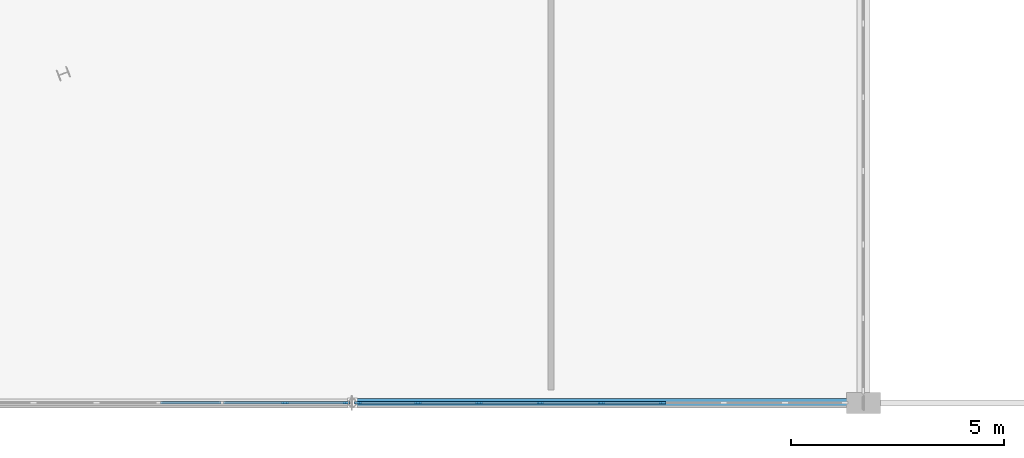
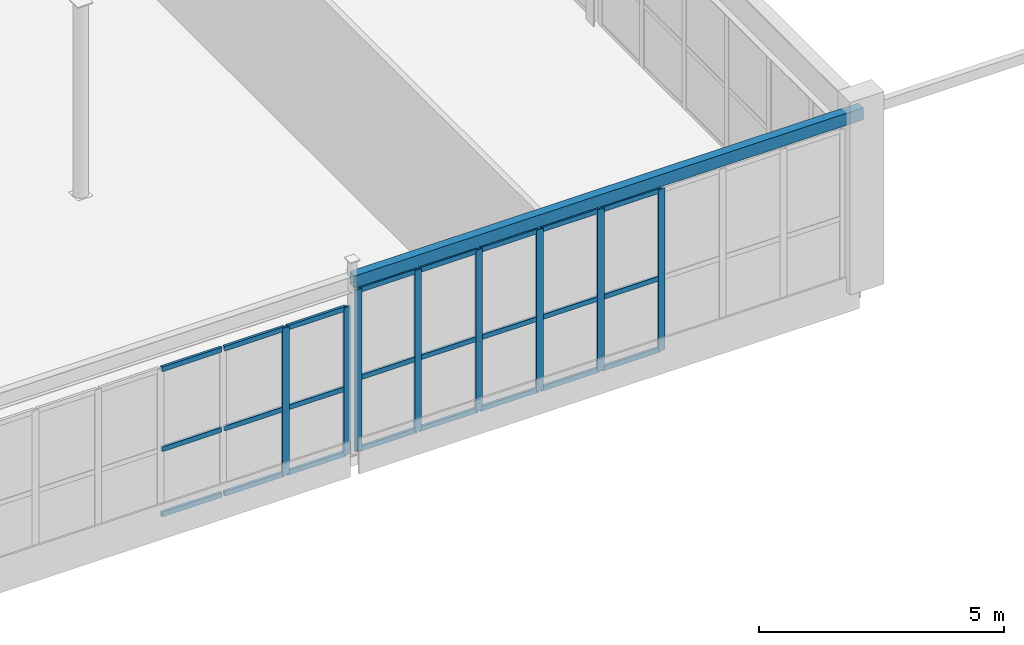
# One storey, part 81 of 226: 32 members, 1 beam, 2 elements without a shape of their own.
"""IFC4 building model written with IfcOpenShell, lengths in metres."""

from ifc_helpers import new_model, si_unit, direction, frame, origin, origin_2d, place, context, subcontext, project, spatial, rectangle, hollow_rectangle, extrude, material, layer, layer_set, material_profile, profile_set, type_object, element, aggregate, save


model = new_model("IFC4")

# Units and contexts
model_context = context("Model", 3, precision=1e-05, world=origin(), true_north=direction((0.0, 1.0)))
body_context = subcontext(model_context, "Body", "Model", "MODEL_VIEW")
ifc_project = project(units=[si_unit("LENGTHUNIT", "METRE"), si_unit("AREAUNIT", "SQUARE_METRE"), si_unit("VOLUMEUNIT", "CUBIC_METRE"), si_unit("PLANEANGLEUNIT", "RADIAN"), si_unit("MASSUNIT", "GRAM", prefix="KILO")], contexts=[model_context])

# Site, building, storey
site_placement = place(None, origin())
site = spatial("IfcSite", under=ifc_project, at=site_placement, CompositionType="ELEMENT")
building_placement = place(site_placement, origin())
building = spatial("IfcBuilding", under=site, at=building_placement, Name="Tarnwether General Hospital", CompositionType="ELEMENT")
storey_placement = place(building_placement, frame((0.0, 0.0, 4.800048828125)))
storey = spatial("IfcBuildingStorey", under=building, at=storey_placement, Name="L01", CompositionType="ELEMENT", Elevation=4.800048828125)

# Beam
ifc_material_1 = material(Name="Steel Grade C350L0 (350 MPa)", Category="steel")
ifc_material_profile_1 = material_profile(ifc_material_1, hollow_rectangle(XDim=0.199951171875, YDim=0.300048828125, WallThickness=0.012451171875, at=origin_2d()), Name="RHS300x200x12.5")
ifc_profile_set_1 = profile_set([ifc_material_profile_1], Name="Steel Grade C350L0 (350 MPa)")
beam_type = type_object("IfcBeamType", Name="BM-SP3", PredefinedType="SPANDREL", material=ifc_profile_set_1)
beam_placement = place(storey_placement, frame((120.0, 0.0, 4.294921875), z_axis=(1.0, 0.0, 0.0), x_axis=(0.0, 1.0, 0.0)))
element("IfcBeam", 1, at=beam_placement, inside=storey, type_object=beam_type, Name="Primary Girder BMG-L01-12000_0-13200_0-1184", PredefinedType="SPANDREL", context=body_context, shape_type="SweptSolid", body=[
    extrude(hollow_rectangle(XDim=0.199951171875, YDim=0.300048828125, WallThickness=0.012451171875, at=origin_2d()), origin(), (0.0, 0.0, 1.0), 12.0),
])

# Curtain wall, members
ifc_material_2 = material(Name="Anodised aluminium", Category="aluminium")
ifc_layer = layer(ifc_material_2, 0.159912109375)
ifc_layer_set = layer_set([ifc_layer], Name="Anodised aluminium")
curtain_wall_type = type_object("IfcCurtainWallType", Name="CW-13", PredefinedType="NOTDEFINED", material=ifc_layer_set)
curtain_wall_1_placement = place(storey_placement, origin())
curtain_wall_1 = element("IfcCurtainWall", 2, at=curtain_wall_1_placement, inside=storey, type_object=curtain_wall_type, Name="Curtain Wall CWG-L01-1316_0-0329", PredefinedType="NOTDEFINED")
ifc_material_3 = material(Name="Anodised aluminium", Category="aluminium")
ifc_material_profile_2 = material_profile(ifc_material_3, rectangle(XDim=0.06005859375, YDim=0.159912109375, at=origin_2d()), Name="ALU-MUL-60x160")
ifc_profile_set_2 = profile_set([ifc_material_profile_2], Name="Anodised aluminium")
member_type_1 = type_object("IfcMemberType", Name="CW-ML1", PredefinedType="MULLION", material=ifc_profile_set_2)
member_1_placement = place(storey_placement, frame((127.284423828125, 0.0, 0.0), z_axis=(0.0, 0.0, 1.0), x_axis=(0.0, -1.0, 0.0)))
member_1 = element("IfcMember", 3, at=member_1_placement, type_object=member_type_1, Name="CW-13 mullion 4", PredefinedType="MULLION", context=body_context, shape_type="SweptSolid", body=[
    extrude(rectangle(XDim=0.06005859375, YDim=0.159912109375, at=origin_2d()), origin(), (0.0, 0.0, 1.0), 4.02685546875),
])
member_2_placement = place(storey_placement, frame((125.848388671875, 0.0, 0.0), z_axis=(0.0, 0.0, 1.0), x_axis=(0.0, -1.0, 0.0)))
member_2 = element("IfcMember", 4, at=member_2_placement, type_object=member_type_1, Name="CW-13 mullion 5", PredefinedType="MULLION", context=body_context, shape_type="SweptSolid", body=[
    extrude(rectangle(XDim=0.06005859375, YDim=0.159912109375, at=origin_2d()), origin(), (0.0, 0.0, 1.0), 4.02685546875),
])
member_3_placement = place(storey_placement, frame((124.41259765625, 0.0, 0.0), z_axis=(0.0, 0.0, 1.0), x_axis=(0.0, -1.0, 0.0)))
member_3 = element("IfcMember", 5, at=member_3_placement, type_object=member_type_1, Name="CW-13 mullion 6", PredefinedType="MULLION", context=body_context, shape_type="SweptSolid", body=[
    extrude(rectangle(XDim=0.06005859375, YDim=0.159912109375, at=origin_2d()), origin(), (0.0, 0.0, 1.0), 4.02685546875),
])
member_4_placement = place(storey_placement, frame((122.976806640625, 0.0, 0.0), z_axis=(0.0, 0.0, 1.0), x_axis=(0.0, -1.0, 0.0)))
member_4 = element("IfcMember", 6, at=member_4_placement, type_object=member_type_1, Name="CW-13 mullion 7", PredefinedType="MULLION", context=body_context, shape_type="SweptSolid", body=[
    extrude(rectangle(XDim=0.06005859375, YDim=0.159912109375, at=origin_2d()), origin(), (0.0, 0.0, 1.0), 4.02685546875),
])
member_5_placement = place(storey_placement, frame((121.540771484375, 0.0, 0.0), z_axis=(0.0, 0.0, 1.0), x_axis=(0.0, -1.0, 0.0)))
member_5 = element("IfcMember", 7, at=member_5_placement, type_object=member_type_1, Name="CW-13 mullion 8", PredefinedType="MULLION", context=body_context, shape_type="SweptSolid", body=[
    extrude(rectangle(XDim=0.06005859375, YDim=0.159912109375, at=origin_2d()), origin(), (0.0, 0.0, 1.0), 4.02685546875),
])
member_6_placement = place(storey_placement, frame((120.135009765625, 0.0, 0.0), z_axis=(0.0, 0.0, 1.0), x_axis=(0.0, -1.0, 0.0)))
member_6 = element("IfcMember", 8, at=member_6_placement, type_object=member_type_1, Name="CW-13 mullion 9", PredefinedType="MULLION", context=body_context, shape_type="SweptSolid", body=[
    extrude(rectangle(XDim=0.06005859375, YDim=0.159912109375, at=origin_2d()), origin(), (0.0, 0.0, 1.0), 4.02685546875),
])

curtain_wall_2_placement = place(storey_placement, origin())
curtain_wall_2 = element("IfcCurtainWall", 9, at=curtain_wall_2_placement, inside=storey, type_object=curtain_wall_type, Name="Curtain Wall CWG-L01-1199_0-0330", PredefinedType="NOTDEFINED")
member_7_placement = place(storey_placement, frame((119.864990234375, 0.0, 0.0), z_axis=(0.0, 0.0, 1.0), x_axis=(0.0, -1.0, 0.0)))
member_7 = element("IfcMember", 10, at=member_7_placement, type_object=member_type_1, Name="CW-13 mullion 1", PredefinedType="MULLION", context=body_context, shape_type="SweptSolid", body=[
    extrude(rectangle(XDim=0.06005859375, YDim=0.159912109375, at=origin_2d()), origin(), (0.0, 0.0, 1.0), 3.679931640625),
])
member_8_placement = place(storey_placement, frame((118.4189453125, 0.0, 0.0), z_axis=(0.0, 0.0, 1.0), x_axis=(0.0, -1.0, 0.0)))
member_8 = element("IfcMember", 11, at=member_8_placement, type_object=member_type_1, Name="CW-13 mullion 2", PredefinedType="MULLION", context=body_context, shape_type="SweptSolid", body=[
    extrude(rectangle(XDim=0.06005859375, YDim=0.159912109375, at=origin_2d()), origin(), (0.0, 0.0, 1.0), 3.679931640625),
])

# Member
ifc_material_4 = material(Name="Anodised aluminium", Category="aluminium")
ifc_material_profile_3 = material_profile(ifc_material_4, rectangle(XDim=0.06005859375, YDim=0.1201171875, at=origin_2d()), Name="ALU-TRN-60x120")
ifc_profile_set_3 = profile_set([ifc_material_profile_3], Name="Anodised aluminium")
member_type_2 = type_object("IfcMemberType", Name="CW-TR1", PredefinedType="USERDEFINED", material=ifc_profile_set_3)
member_9_placement = place(storey_placement, frame((127.25439453125, 0.0, 0.030029296875), z_axis=(-1.0, 0.0, 0.0), x_axis=(0.0, -1.0, 0.0)))
member_9 = element("IfcMember", 12, at=member_9_placement, type_object=member_type_2, Name="CW-13 transom 4.1", ObjectType="TRANSOM", PredefinedType="USERDEFINED", context=body_context, shape_type="SweptSolid", body=[
    extrude(rectangle(XDim=0.06005859375, YDim=0.1201171875, at=origin_2d()), origin(), (0.0, 0.0, 1.0), 1.3759765625),
])

member_10_placement = place(storey_placement, frame((127.25439453125, 0.0, 1.81201171875), z_axis=(-1.0, 0.0, 0.0), x_axis=(0.0, -1.0, 0.0)))
member_10 = element("IfcMember", 13, at=member_10_placement, type_object=member_type_2, Name="CW-13 transom 4.2", ObjectType="TRANSOM", PredefinedType="USERDEFINED", context=body_context, shape_type="SweptSolid", body=[
    extrude(rectangle(XDim=0.06005859375, YDim=0.1201171875, at=origin_2d()), origin(), (0.0, 0.0, 1.0), 1.3759765625),
])

member_11_placement = place(storey_placement, frame((127.25439453125, 0.0, 3.9970703125), z_axis=(-1.0, 0.0, 0.0), x_axis=(0.0, -1.0, 0.0)))
member_11 = element("IfcMember", 14, at=member_11_placement, type_object=member_type_2, Name="CW-13 transom 4.3", ObjectType="TRANSOM", PredefinedType="USERDEFINED", context=body_context, shape_type="SweptSolid", body=[
    extrude(rectangle(XDim=0.06005859375, YDim=0.1201171875, at=origin_2d()), origin(), (0.0, 0.0, 1.0), 1.3759765625),
])

member_12_placement = place(storey_placement, frame((125.818603515625, 0.0, 0.030029296875), z_axis=(-1.0, 0.0, 0.0), x_axis=(0.0, -1.0, 0.0)))
member_12 = element("IfcMember", 15, at=member_12_placement, type_object=member_type_2, Name="CW-13 transom 5.1", ObjectType="TRANSOM", PredefinedType="USERDEFINED", context=body_context, shape_type="SweptSolid", body=[
    extrude(rectangle(XDim=0.06005859375, YDim=0.1201171875, at=origin_2d()), origin(), (0.0, 0.0, 1.0), 1.3759765625),
])

member_13_placement = place(storey_placement, frame((125.818603515625, 0.0, 1.81201171875), z_axis=(-1.0, 0.0, 0.0), x_axis=(0.0, -1.0, 0.0)))
member_13 = element("IfcMember", 16, at=member_13_placement, type_object=member_type_2, Name="CW-13 transom 5.2", ObjectType="TRANSOM", PredefinedType="USERDEFINED", context=body_context, shape_type="SweptSolid", body=[
    extrude(rectangle(XDim=0.06005859375, YDim=0.1201171875, at=origin_2d()), origin(), (0.0, 0.0, 1.0), 1.3759765625),
])

member_14_placement = place(storey_placement, frame((125.818603515625, 0.0, 3.9970703125), z_axis=(-1.0, 0.0, 0.0), x_axis=(0.0, -1.0, 0.0)))
member_14 = element("IfcMember", 17, at=member_14_placement, type_object=member_type_2, Name="CW-13 transom 5.3", ObjectType="TRANSOM", PredefinedType="USERDEFINED", context=body_context, shape_type="SweptSolid", body=[
    extrude(rectangle(XDim=0.06005859375, YDim=0.1201171875, at=origin_2d()), origin(), (0.0, 0.0, 1.0), 1.3759765625),
])

member_15_placement = place(storey_placement, frame((124.382568359375, 0.0, 0.030029296875), z_axis=(-1.0, 0.0, 0.0), x_axis=(0.0, -1.0, 0.0)))
member_15 = element("IfcMember", 18, at=member_15_placement, type_object=member_type_2, Name="CW-13 transom 6.1", ObjectType="TRANSOM", PredefinedType="USERDEFINED", context=body_context, shape_type="SweptSolid", body=[
    extrude(rectangle(XDim=0.06005859375, YDim=0.1201171875, at=origin_2d()), origin(), (0.0, 0.0, 1.0), 1.375732421875),
])

member_16_placement = place(storey_placement, frame((124.382568359375, 0.0, 1.81201171875), z_axis=(-1.0, 0.0, 0.0), x_axis=(0.0, -1.0, 0.0)))
member_16 = element("IfcMember", 19, at=member_16_placement, type_object=member_type_2, Name="CW-13 transom 6.2", ObjectType="TRANSOM", PredefinedType="USERDEFINED", context=body_context, shape_type="SweptSolid", body=[
    extrude(rectangle(XDim=0.06005859375, YDim=0.1201171875, at=origin_2d()), origin(), (0.0, 0.0, 1.0), 1.375732421875),
])

member_17_placement = place(storey_placement, frame((124.382568359375, 0.0, 3.9970703125), z_axis=(-1.0, 0.0, 0.0), x_axis=(0.0, -1.0, 0.0)))
member_17 = element("IfcMember", 20, at=member_17_placement, type_object=member_type_2, Name="CW-13 transom 6.3", ObjectType="TRANSOM", PredefinedType="USERDEFINED", context=body_context, shape_type="SweptSolid", body=[
    extrude(rectangle(XDim=0.06005859375, YDim=0.1201171875, at=origin_2d()), origin(), (0.0, 0.0, 1.0), 1.375732421875),
])

member_18_placement = place(storey_placement, frame((122.94677734375, 0.0, 0.030029296875), z_axis=(-1.0, 0.0, 0.0), x_axis=(0.0, -1.0, 0.0)))
member_18 = element("IfcMember", 21, at=member_18_placement, type_object=member_type_2, Name="CW-13 transom 7.1", ObjectType="TRANSOM", PredefinedType="USERDEFINED", context=body_context, shape_type="SweptSolid", body=[
    extrude(rectangle(XDim=0.06005859375, YDim=0.1201171875, at=origin_2d()), origin(), (0.0, 0.0, 1.0), 1.3759765625),
])

member_19_placement = place(storey_placement, frame((122.94677734375, 0.0, 1.81201171875), z_axis=(-1.0, 0.0, 0.0), x_axis=(0.0, -1.0, 0.0)))
member_19 = element("IfcMember", 22, at=member_19_placement, type_object=member_type_2, Name="CW-13 transom 7.2", ObjectType="TRANSOM", PredefinedType="USERDEFINED", context=body_context, shape_type="SweptSolid", body=[
    extrude(rectangle(XDim=0.06005859375, YDim=0.1201171875, at=origin_2d()), origin(), (0.0, 0.0, 1.0), 1.3759765625),
])

member_20_placement = place(storey_placement, frame((122.94677734375, 0.0, 3.9970703125), z_axis=(-1.0, 0.0, 0.0), x_axis=(0.0, -1.0, 0.0)))
member_20 = element("IfcMember", 23, at=member_20_placement, type_object=member_type_2, Name="CW-13 transom 7.3", ObjectType="TRANSOM", PredefinedType="USERDEFINED", context=body_context, shape_type="SweptSolid", body=[
    extrude(rectangle(XDim=0.06005859375, YDim=0.1201171875, at=origin_2d()), origin(), (0.0, 0.0, 1.0), 1.3759765625),
])

member_21_placement = place(storey_placement, frame((121.510986328125, 0.0, 0.030029296875), z_axis=(-1.0, 0.0, 0.0), x_axis=(0.0, -1.0, 0.0)))
member_21 = element("IfcMember", 24, at=member_21_placement, type_object=member_type_2, Name="CW-13 transom 8.1", ObjectType="TRANSOM", PredefinedType="USERDEFINED", context=body_context, shape_type="SweptSolid", body=[
    extrude(rectangle(XDim=0.06005859375, YDim=0.1201171875, at=origin_2d()), origin(), (0.0, 0.0, 1.0), 1.345947265625),
])

member_22_placement = place(storey_placement, frame((121.510986328125, 0.0, 1.81201171875), z_axis=(-1.0, 0.0, 0.0), x_axis=(0.0, -1.0, 0.0)))
member_22 = element("IfcMember", 25, at=member_22_placement, type_object=member_type_2, Name="CW-13 transom 8.2", ObjectType="TRANSOM", PredefinedType="USERDEFINED", context=body_context, shape_type="SweptSolid", body=[
    extrude(rectangle(XDim=0.06005859375, YDim=0.1201171875, at=origin_2d()), origin(), (0.0, 0.0, 1.0), 1.345947265625),
])

member_23_placement = place(storey_placement, frame((121.510986328125, 0.0, 3.9970703125), z_axis=(-1.0, 0.0, 0.0), x_axis=(0.0, -1.0, 0.0)))
member_23 = element("IfcMember", 26, at=member_23_placement, type_object=member_type_2, Name="CW-13 transom 8.3", ObjectType="TRANSOM", PredefinedType="USERDEFINED", context=body_context, shape_type="SweptSolid", body=[
    extrude(rectangle(XDim=0.06005859375, YDim=0.1201171875, at=origin_2d()), origin(), (0.0, 0.0, 1.0), 1.345947265625),
])

aggregate(curtain_wall_1, [member_1, member_2, member_3, member_4, member_5, member_6, member_9, member_10, member_11, member_12, member_13, member_14, member_15, member_16, member_17, member_18, member_19, member_20, member_21, member_22, member_23])

member_24_placement = place(storey_placement, frame((119.8349609375, 0.0, 0.030029296875), z_axis=(-1.0, 0.0, 0.0), x_axis=(0.0, -1.0, 0.0)))
member_24 = element("IfcMember", 27, at=member_24_placement, type_object=member_type_2, Name="CW-13 transom 1.1", ObjectType="TRANSOM", PredefinedType="USERDEFINED", context=body_context, shape_type="SweptSolid", body=[
    extrude(rectangle(XDim=0.06005859375, YDim=0.1201171875, at=origin_2d()), origin(), (0.0, 0.0, 1.0), 1.385986328125),
])

member_25_placement = place(storey_placement, frame((119.8349609375, 0.0, 1.656005859375), z_axis=(-1.0, 0.0, 0.0), x_axis=(0.0, -1.0, 0.0)))
member_25 = element("IfcMember", 28, at=member_25_placement, type_object=member_type_2, Name="CW-13 transom 1.2", ObjectType="TRANSOM", PredefinedType="USERDEFINED", context=body_context, shape_type="SweptSolid", body=[
    extrude(rectangle(XDim=0.06005859375, YDim=0.1201171875, at=origin_2d()), origin(), (0.0, 0.0, 1.0), 1.385986328125),
])

member_26_placement = place(storey_placement, frame((119.8349609375, 0.0, 3.64990234375), z_axis=(-1.0, 0.0, 0.0), x_axis=(0.0, -1.0, 0.0)))
member_26 = element("IfcMember", 29, at=member_26_placement, type_object=member_type_2, Name="CW-13 transom 1.3", ObjectType="TRANSOM", PredefinedType="USERDEFINED", context=body_context, shape_type="SweptSolid", body=[
    extrude(rectangle(XDim=0.06005859375, YDim=0.1201171875, at=origin_2d()), origin(), (0.0, 0.0, 1.0), 1.385986328125),
])

member_27_placement = place(storey_placement, frame((118.388916015625, 0.0, 0.030029296875), z_axis=(-1.0, 0.0, 0.0), x_axis=(0.0, -1.0, 0.0)))
member_27 = element("IfcMember", 30, at=member_27_placement, type_object=member_type_2, Name="CW-13 transom 2.1", ObjectType="TRANSOM", PredefinedType="USERDEFINED", context=body_context, shape_type="SweptSolid", body=[
    extrude(rectangle(XDim=0.06005859375, YDim=0.1201171875, at=origin_2d()), origin(), (0.0, 0.0, 1.0), 1.416015625),
])

member_28_placement = place(storey_placement, frame((118.388916015625, 0.0, 1.656005859375), z_axis=(-1.0, 0.0, 0.0), x_axis=(0.0, -1.0, 0.0)))
member_28 = element("IfcMember", 31, at=member_28_placement, type_object=member_type_2, Name="CW-13 transom 2.2", ObjectType="TRANSOM", PredefinedType="USERDEFINED", context=body_context, shape_type="SweptSolid", body=[
    extrude(rectangle(XDim=0.06005859375, YDim=0.1201171875, at=origin_2d()), origin(), (0.0, 0.0, 1.0), 1.416015625),
])

member_29_placement = place(storey_placement, frame((118.388916015625, 0.0, 3.64990234375), z_axis=(-1.0, 0.0, 0.0), x_axis=(0.0, -1.0, 0.0)))
member_29 = element("IfcMember", 32, at=member_29_placement, type_object=member_type_2, Name="CW-13 transom 2.3", ObjectType="TRANSOM", PredefinedType="USERDEFINED", context=body_context, shape_type="SweptSolid", body=[
    extrude(rectangle(XDim=0.06005859375, YDim=0.1201171875, at=origin_2d()), origin(), (0.0, 0.0, 1.0), 1.416015625),
])

member_30_placement = place(storey_placement, frame((116.9130859375, 0.0, 0.030029296875), z_axis=(-1.0, 0.0, 0.0), x_axis=(0.0, -1.0, 0.0)))
member_30 = element("IfcMember", 33, at=member_30_placement, type_object=member_type_2, Name="CW-13 transom 3.1", ObjectType="TRANSOM", PredefinedType="USERDEFINED", context=body_context, shape_type="SweptSolid", body=[
    extrude(rectangle(XDim=0.06005859375, YDim=0.1201171875, at=origin_2d()), origin(), (0.0, 0.0, 1.0), 1.416015625),
])

member_31_placement = place(storey_placement, frame((116.9130859375, 0.0, 1.656005859375), z_axis=(-1.0, 0.0, 0.0), x_axis=(0.0, -1.0, 0.0)))
member_31 = element("IfcMember", 34, at=member_31_placement, type_object=member_type_2, Name="CW-13 transom 3.2", ObjectType="TRANSOM", PredefinedType="USERDEFINED", context=body_context, shape_type="SweptSolid", body=[
    extrude(rectangle(XDim=0.06005859375, YDim=0.1201171875, at=origin_2d()), origin(), (0.0, 0.0, 1.0), 1.416015625),
])

member_32_placement = place(storey_placement, frame((116.9130859375, 0.0, 3.64990234375), z_axis=(-1.0, 0.0, 0.0), x_axis=(0.0, -1.0, 0.0)))
member_32 = element("IfcMember", 35, at=member_32_placement, type_object=member_type_2, Name="CW-13 transom 3.3", ObjectType="TRANSOM", PredefinedType="USERDEFINED", context=body_context, shape_type="SweptSolid", body=[
    extrude(rectangle(XDim=0.06005859375, YDim=0.1201171875, at=origin_2d()), origin(), (0.0, 0.0, 1.0), 1.416015625),
])

aggregate(curtain_wall_2, [member_7, member_8, member_24, member_25, member_26, member_27, member_28, member_29, member_30, member_31, member_32])

save(model, "model.ifc")
